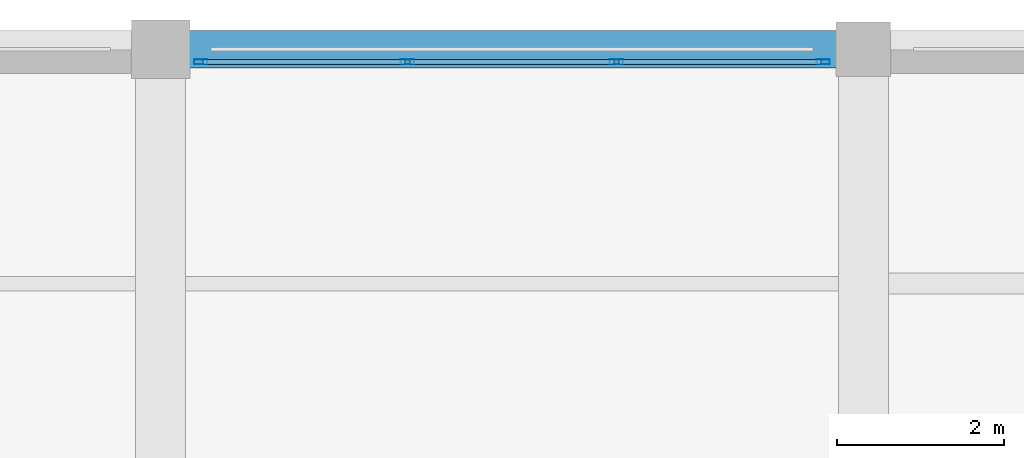
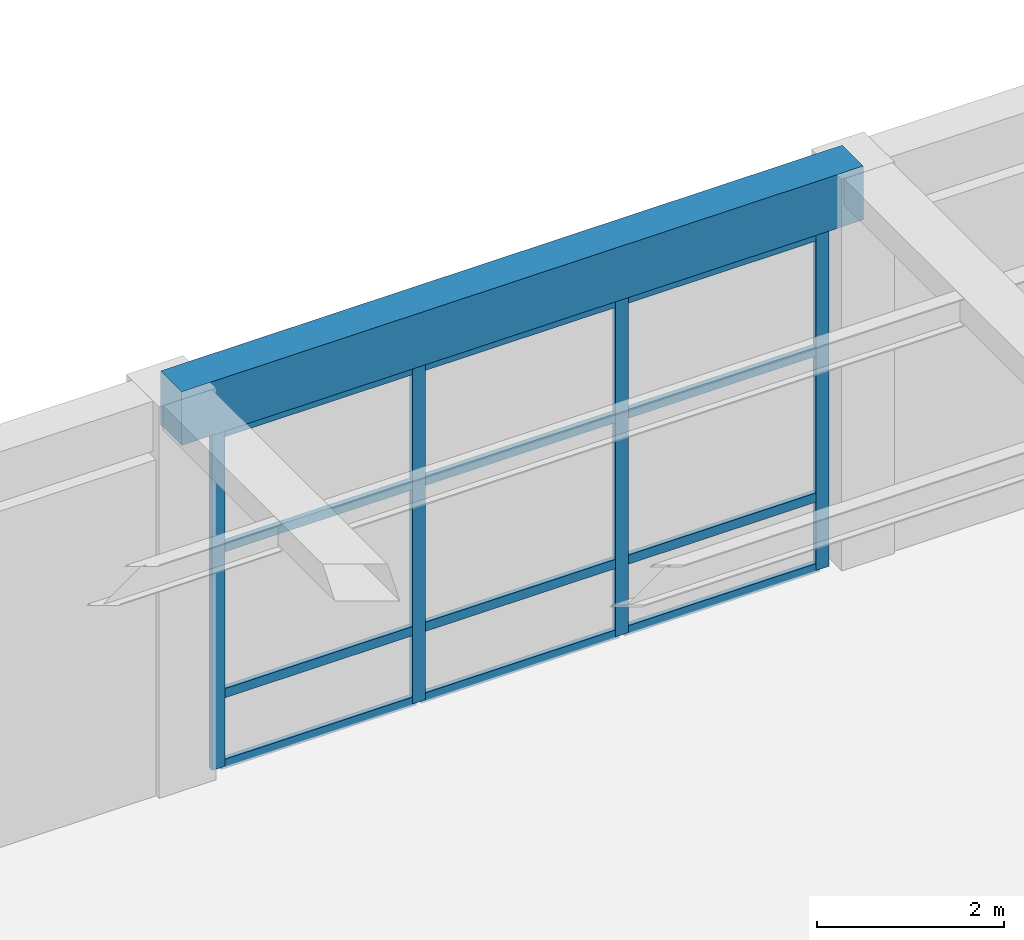
# One storey, part 37 of 96: 16 members, 1 beam, 1 element without a shape of its own.
"""IFC4 building model written with IfcOpenShell, lengths in metres."""

from ifc_helpers import new_model, si_unit, direction, frame, origin, origin_2d, place, context, subcontext, project, spatial, rectangle, hollow_rectangle, extrude, material, material_profile, profile_set, type_object, element, aggregate, save


model = new_model("IFC4")

# Units and contexts
model_context = context("Model", 3, precision=1e-05, world=origin(), true_north=direction((0.0, 1.0)))
body_context = subcontext(model_context, "Body", "Model", "MODEL_VIEW")
ifc_project = project(units=[si_unit("LENGTHUNIT", "METRE"), si_unit("AREAUNIT", "SQUARE_METRE"), si_unit("VOLUMEUNIT", "CUBIC_METRE"), si_unit("PLANEANGLEUNIT", "RADIAN"), si_unit("MASSUNIT", "GRAM", prefix="KILO")], contexts=[model_context])

# Site, building, storey
site_placement = place(None, origin())
site = spatial("IfcSite", under=ifc_project, at=site_placement, CompositionType="ELEMENT")
building_placement = place(site_placement, origin())
building = spatial("IfcBuilding", under=site, at=building_placement, Name="Almacenes y Pasaje Nevantli", CompositionType="ELEMENT")
storey_placement = place(building_placement, frame((0.0, 0.0, 6.0)))
storey = spatial("IfcBuildingStorey", under=building, at=storey_placement, Name="L02", CompositionType="ELEMENT", Elevation=6.0)

# Beam
ifc_material_1 = material(Name="Concrete C35/45", Category="concrete")
ifc_material_profile_1 = material_profile(ifc_material_1, rectangle(XDim=0.449951171875, YDim=0.699951171875, at=origin_2d()), Name="RC-BM-450x700")
ifc_profile_set_1 = profile_set([ifc_material_profile_1], Name="Concrete C35/45")
beam_type = type_object("IfcBeamType", Name="BM-RC-450x700", PredefinedType="SPANDREL", material=ifc_profile_set_1)
beam_placement = place(storey_placement, frame((16.800048828125, 117.60009765625, 4.75), z_axis=(1.0, 0.0, 0.0), x_axis=(0.0, 1.0, 0.0)))
element("IfcBeam", 1, at=beam_placement, inside=storey, type_object=beam_type, Name="L02 East-West Reinforced Concrete Beam #1948", PredefinedType="SPANDREL", context=body_context, shape_type="SweptSolid", body=[
    extrude(rectangle(XDim=0.449951171875, YDim=0.699951171875, at=origin_2d()), origin(), (0.0, 0.0, 1.0), 8.39990234375),
])

# Curtain wall, members
ifc_material_2 = material(Name="Thermally Broken Aluminium and Low-E Glass", Category="aluminium")
curtain_wall_type = type_object("IfcCurtainWallType", Name="CW-STF-BLVD", PredefinedType="USERDEFINED", material=ifc_material_2)
curtain_wall_placement = place(storey_placement, origin())
curtain_wall = element("IfcCurtainWall", 2, at=curtain_wall_placement, inside=storey, type_object=curtain_wall_type, Name="L02 North Boulevard Retail Curtain Wall Bay 3", ObjectType="STOREFRONT GLAZING", PredefinedType="USERDEFINED")
ifc_material_3 = material(Name="Thermally Broken Anodized Aluminium", Category="aluminium")
ifc_material_profile_2 = material_profile(ifc_material_3, hollow_rectangle(XDim=0.06005859375, YDim=0.159912109375, WallThickness=0.00390625, at=origin_2d()), Name="ALU-MUL-60x160")
ifc_profile_set_2 = profile_set([ifc_material_profile_2], Name="Thermally Broken Anodized Aluminium")
member_type_1 = type_object("IfcMemberType", Name="CW-MUL-180", PredefinedType="MULLION", material=ifc_profile_set_2)
member_1_placement = place(storey_placement, frame((17.280029296875, 117.449951171875, 0.0), z_axis=(0.0, 0.0, 1.0), x_axis=(0.0, 1.0, 0.0)))
member_1 = element("IfcMember", 3, at=member_1_placement, type_object=member_type_1, Name="CW-L02-002 mullion 1", PredefinedType="MULLION", context=body_context, shape_type="SweptSolid", body=[
    extrude(hollow_rectangle(XDim=0.06005859375, YDim=0.159912109375, WallThickness=0.00390625, at=origin_2d()), origin(), (0.0, 0.0, 1.0), 4.3798828125),
])
member_2_placement = place(storey_placement, frame((19.75, 117.449951171875, 0.0), z_axis=(0.0, 0.0, 1.0), x_axis=(0.0, 1.0, 0.0)))
member_2 = element("IfcMember", 4, at=member_2_placement, type_object=member_type_1, Name="CW-L02-002 mullion 2", PredefinedType="MULLION", context=body_context, shape_type="SweptSolid", body=[
    extrude(hollow_rectangle(XDim=0.06005859375, YDim=0.159912109375, WallThickness=0.00390625, at=origin_2d()), origin(), (0.0, 0.0, 1.0), 4.3798828125),
])
member_3_placement = place(storey_placement, frame((22.25, 117.449951171875, 0.0), z_axis=(0.0, 0.0, 1.0), x_axis=(0.0, 1.0, 0.0)))
member_3 = element("IfcMember", 5, at=member_3_placement, type_object=member_type_1, Name="CW-L02-002 mullion 3", PredefinedType="MULLION", context=body_context, shape_type="SweptSolid", body=[
    extrude(hollow_rectangle(XDim=0.06005859375, YDim=0.159912109375, WallThickness=0.00390625, at=origin_2d()), origin(), (0.0, 0.0, 1.0), 4.3798828125),
])
member_4_placement = place(storey_placement, frame((24.719970703125, 117.449951171875, 0.0), z_axis=(0.0, 0.0, 1.0), x_axis=(0.0, 1.0, 0.0)))
member_4 = element("IfcMember", 6, at=member_4_placement, type_object=member_type_1, Name="CW-L02-002 mullion 4", PredefinedType="MULLION", context=body_context, shape_type="SweptSolid", body=[
    extrude(hollow_rectangle(XDim=0.06005859375, YDim=0.159912109375, WallThickness=0.00390625, at=origin_2d()), origin(), (0.0, 0.0, 1.0), 4.3798828125),
])
ifc_material_4 = material(Name="Thermally Broken Anodized Aluminium", Category="aluminium")
ifc_material_profile_3 = material_profile(ifc_material_4, hollow_rectangle(XDim=0.06005859375, YDim=0.1201171875, WallThickness=0.00341796875, at=origin_2d()), Name="ALU-TRN-60x120")
ifc_profile_set_3 = profile_set([ifc_material_profile_3], Name="Thermally Broken Anodized Aluminium")
member_type_2 = type_object("IfcMemberType", Name="CW-TRN-130", PredefinedType="USERDEFINED", material=ifc_profile_set_3)
member_5_placement = place(storey_placement, frame((17.31005859375, 117.449951171875, 0.030029296875), z_axis=(1.0, 0.0, 0.0), x_axis=(0.0, 1.0, 0.0)))
member_5 = element("IfcMember", 7, at=member_5_placement, type_object=member_type_2, Name="CW-L02-002 transom 1.1", ObjectType="TRANSOM", PredefinedType="USERDEFINED", context=body_context, shape_type="SweptSolid", body=[
    extrude(hollow_rectangle(XDim=0.06005859375, YDim=0.1201171875, WallThickness=0.00341796875, at=origin_2d()), origin(), (0.0, 0.0, 1.0), 2.409912109375),
])
member_6_placement = place(storey_placement, frame((17.31005859375, 117.449951171875, 0.949951171875), z_axis=(1.0, 0.0, 0.0), x_axis=(0.0, 1.0, 0.0)))
member_6 = element("IfcMember", 8, at=member_6_placement, type_object=member_type_2, Name="CW-L02-002 transom 1.2", ObjectType="TRANSOM", PredefinedType="USERDEFINED", context=body_context, shape_type="SweptSolid", body=[
    extrude(hollow_rectangle(XDim=0.06005859375, YDim=0.1201171875, WallThickness=0.00341796875, at=origin_2d()), origin(), (0.0, 0.0, 1.0), 2.409912109375),
])
member_7_placement = place(storey_placement, frame((17.31005859375, 117.449951171875, 2.85009765625), z_axis=(1.0, 0.0, 0.0), x_axis=(0.0, 1.0, 0.0)))
member_7 = element("IfcMember", 9, at=member_7_placement, type_object=member_type_2, Name="CW-L02-002 transom 1.3", ObjectType="TRANSOM", PredefinedType="USERDEFINED", context=body_context, shape_type="SweptSolid", body=[
    extrude(hollow_rectangle(XDim=0.06005859375, YDim=0.1201171875, WallThickness=0.00341796875, at=origin_2d()), origin(), (0.0, 0.0, 1.0), 2.409912109375),
])
member_8_placement = place(storey_placement, frame((17.31005859375, 117.449951171875, 4.35009765625), z_axis=(1.0, 0.0, 0.0), x_axis=(0.0, 1.0, 0.0)))
member_8 = element("IfcMember", 10, at=member_8_placement, type_object=member_type_2, Name="CW-L02-002 transom 1.4", ObjectType="TRANSOM", PredefinedType="USERDEFINED", context=body_context, shape_type="SweptSolid", body=[
    extrude(hollow_rectangle(XDim=0.06005859375, YDim=0.1201171875, WallThickness=0.00341796875, at=origin_2d()), origin(), (0.0, 0.0, 1.0), 2.409912109375),
])
member_9_placement = place(storey_placement, frame((19.780029296875, 117.449951171875, 0.030029296875), z_axis=(1.0, 0.0, 0.0), x_axis=(0.0, 1.0, 0.0)))
member_9 = element("IfcMember", 11, at=member_9_placement, type_object=member_type_2, Name="CW-L02-002 transom 2.1", ObjectType="TRANSOM", PredefinedType="USERDEFINED", context=body_context, shape_type="SweptSolid", body=[
    extrude(hollow_rectangle(XDim=0.06005859375, YDim=0.1201171875, WallThickness=0.00341796875, at=origin_2d()), origin(), (0.0, 0.0, 1.0), 2.43994140625),
])
member_10_placement = place(storey_placement, frame((19.780029296875, 117.449951171875, 0.949951171875), z_axis=(1.0, 0.0, 0.0), x_axis=(0.0, 1.0, 0.0)))
member_10 = element("IfcMember", 12, at=member_10_placement, type_object=member_type_2, Name="CW-L02-002 transom 2.2", ObjectType="TRANSOM", PredefinedType="USERDEFINED", context=body_context, shape_type="SweptSolid", body=[
    extrude(hollow_rectangle(XDim=0.06005859375, YDim=0.1201171875, WallThickness=0.00341796875, at=origin_2d()), origin(), (0.0, 0.0, 1.0), 2.43994140625),
])
member_11_placement = place(storey_placement, frame((19.780029296875, 117.449951171875, 2.85009765625), z_axis=(1.0, 0.0, 0.0), x_axis=(0.0, 1.0, 0.0)))
member_11 = element("IfcMember", 13, at=member_11_placement, type_object=member_type_2, Name="CW-L02-002 transom 2.3", ObjectType="TRANSOM", PredefinedType="USERDEFINED", context=body_context, shape_type="SweptSolid", body=[
    extrude(hollow_rectangle(XDim=0.06005859375, YDim=0.1201171875, WallThickness=0.00341796875, at=origin_2d()), origin(), (0.0, 0.0, 1.0), 2.43994140625),
])
member_12_placement = place(storey_placement, frame((19.780029296875, 117.449951171875, 4.35009765625), z_axis=(1.0, 0.0, 0.0), x_axis=(0.0, 1.0, 0.0)))
member_12 = element("IfcMember", 14, at=member_12_placement, type_object=member_type_2, Name="CW-L02-002 transom 2.4", ObjectType="TRANSOM", PredefinedType="USERDEFINED", context=body_context, shape_type="SweptSolid", body=[
    extrude(hollow_rectangle(XDim=0.06005859375, YDim=0.1201171875, WallThickness=0.00341796875, at=origin_2d()), origin(), (0.0, 0.0, 1.0), 2.43994140625),
])
member_13_placement = place(storey_placement, frame((22.280029296875, 117.449951171875, 0.030029296875), z_axis=(1.0, 0.0, 0.0), x_axis=(0.0, 1.0, 0.0)))
member_13 = element("IfcMember", 15, at=member_13_placement, type_object=member_type_2, Name="CW-L02-002 transom 3.1", ObjectType="TRANSOM", PredefinedType="USERDEFINED", context=body_context, shape_type="SweptSolid", body=[
    extrude(hollow_rectangle(XDim=0.06005859375, YDim=0.1201171875, WallThickness=0.00341796875, at=origin_2d()), origin(), (0.0, 0.0, 1.0), 2.409912109375),
])
member_14_placement = place(storey_placement, frame((22.280029296875, 117.449951171875, 0.949951171875), z_axis=(1.0, 0.0, 0.0), x_axis=(0.0, 1.0, 0.0)))
member_14 = element("IfcMember", 16, at=member_14_placement, type_object=member_type_2, Name="CW-L02-002 transom 3.2", ObjectType="TRANSOM", PredefinedType="USERDEFINED", context=body_context, shape_type="SweptSolid", body=[
    extrude(hollow_rectangle(XDim=0.06005859375, YDim=0.1201171875, WallThickness=0.00341796875, at=origin_2d()), origin(), (0.0, 0.0, 1.0), 2.409912109375),
])
member_15_placement = place(storey_placement, frame((22.280029296875, 117.449951171875, 2.85009765625), z_axis=(1.0, 0.0, 0.0), x_axis=(0.0, 1.0, 0.0)))
member_15 = element("IfcMember", 17, at=member_15_placement, type_object=member_type_2, Name="CW-L02-002 transom 3.3", ObjectType="TRANSOM", PredefinedType="USERDEFINED", context=body_context, shape_type="SweptSolid", body=[
    extrude(hollow_rectangle(XDim=0.06005859375, YDim=0.1201171875, WallThickness=0.00341796875, at=origin_2d()), origin(), (0.0, 0.0, 1.0), 2.409912109375),
])
member_16_placement = place(storey_placement, frame((22.280029296875, 117.449951171875, 4.35009765625), z_axis=(1.0, 0.0, 0.0), x_axis=(0.0, 1.0, 0.0)))
member_16 = element("IfcMember", 18, at=member_16_placement, type_object=member_type_2, Name="CW-L02-002 transom 3.4", ObjectType="TRANSOM", PredefinedType="USERDEFINED", context=body_context, shape_type="SweptSolid", body=[
    extrude(hollow_rectangle(XDim=0.06005859375, YDim=0.1201171875, WallThickness=0.00341796875, at=origin_2d()), origin(), (0.0, 0.0, 1.0), 2.409912109375),
])
aggregate(curtain_wall, [member_1, member_2, member_3, member_4, member_5, member_6, member_7, member_8, member_9, member_10, member_11, member_12, member_13, member_14, member_15, member_16])

save(model, "model.ifc")
